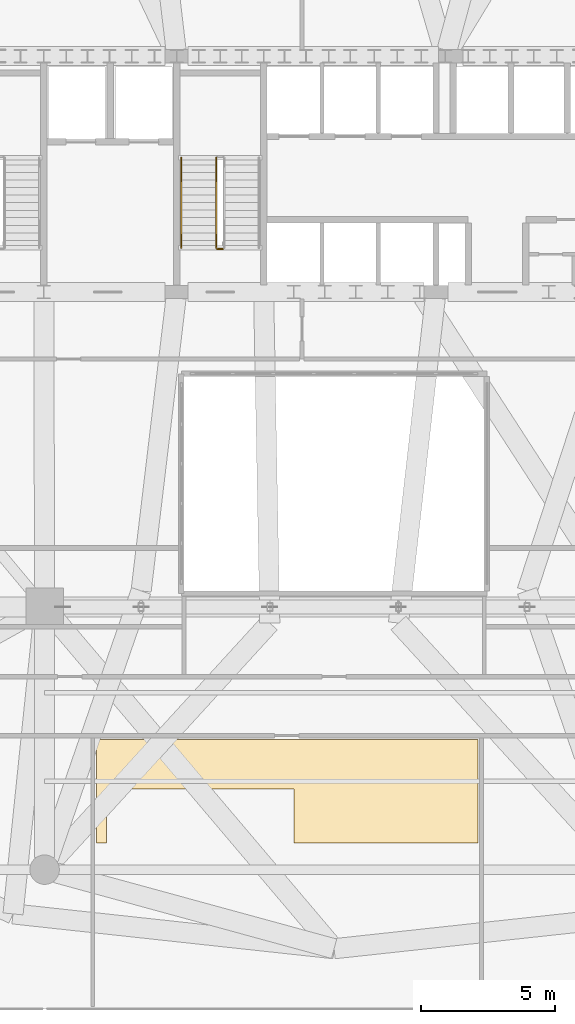
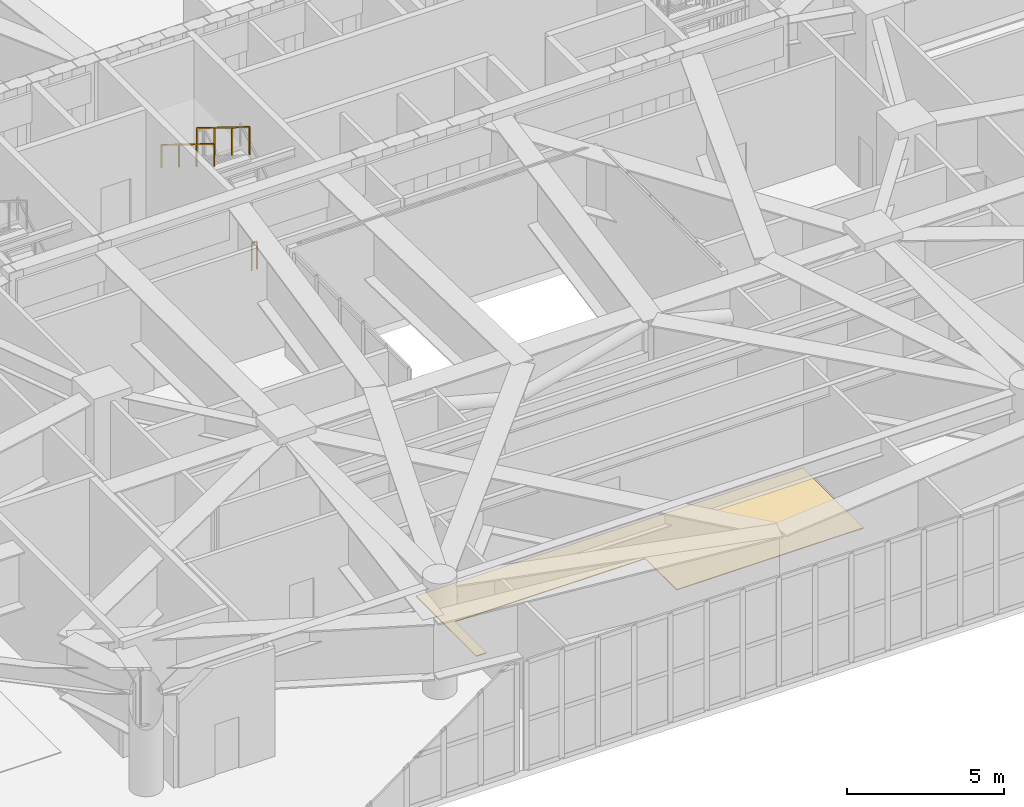
# One storey, part 21 of 26: 3 railings, 1 covering.
"""IFC4 building model written with IfcOpenShell, lengths in metres."""

from ifc_helpers import new_model, si_unit, direction, frame, origin, origin_2d, place, context, subcontext, project, spatial, polyline, rectangle, outline, extrude, material, layer, layer_set, type_object, element, save


model = new_model("IFC4")

# Units and contexts
model_context = context("Model", 3, precision=1e-05, world=origin(), true_north=direction((0.0, 1.0)))
body_context = subcontext(model_context, "Body", "Model", "MODEL_VIEW")
ifc_project = project(units=[si_unit("LENGTHUNIT", "METRE"), si_unit("AREAUNIT", "SQUARE_METRE"), si_unit("VOLUMEUNIT", "CUBIC_METRE"), si_unit("PLANEANGLEUNIT", "RADIAN"), si_unit("MASSUNIT", "GRAM", prefix="KILO")], contexts=[model_context])

# Site, building, storey
site_placement = place(None, origin())
site = spatial("IfcSite", under=ifc_project, at=site_placement, CompositionType="ELEMENT")
building_placement = place(site_placement, origin())
building = spatial("IfcBuilding", under=site, at=building_placement, Name="Haldorwick Loom Tower", CompositionType="ELEMENT")
storey_placement = place(building_placement, frame((0.0, 0.0, 19.5)))
storey = spatial("IfcBuildingStorey", under=building, at=storey_placement, Name="L04", CompositionType="ELEMENT", Elevation=19.5)

# Covering
ifc_material_1 = material(Name="Polished Aggregate Terrazzo Finish")
ifc_layer = layer(ifc_material_1, 0.030029296875, Name="Polished Aggregate Terrazzo Finish")
ifc_layer_set = layer_set([ifc_layer], Name="Polished Aggregate Terrazzo Finish")
covering_type = type_object("IfcCoveringType", Name="ARC-COV-FLOOR", PredefinedType="FLOORING", material=ifc_layer_set)
covering_placement = place(storey_placement, origin())
element("IfcCovering", 1, at=covering_placement, inside=storey, type_object=covering_type, Name="L04 Floor Finish 1", PredefinedType="FLOORING", context=body_context, shape_type="SweptSolid", body=[
    extrude(outline(polyline([(27.1298828125, 6.199951171875), (27.5, 6.199951171875), (27.5, 8.199951171875), (34.5, 8.199951171875), (34.5, 6.199951171875), (41.3701171875, 6.199951171875), (41.3701171875, 10.06005859375), (27.1298828125, 10.06005859375), (27.1298828125, 6.199951171875)])), origin(), (0.0, 0.0, 1.0), 0.030029296875),
])

# Railings
ifc_material_2 = material(Name="Steel CSA G40.21 350W", Category="steel")
railing_type_1 = type_object("IfcRailingType", Name="ARC-RLG-GUARD112", PredefinedType="GUARDRAIL", material=ifc_material_2)
railing_1_placement = place(storey_placement, frame((31.60009765625, 31.760009765625, 2.423095703125)))
element("IfcRailing", 2, at=railing_1_placement, inside=storey, type_object=railing_type_1, Name="L04 ST-03 stair guard 3", PredefinedType="GUARDRAIL", context=body_context, shape_type="SweptSolid", body=[
    extrude(rectangle(XDim=0.048095703125, YDim=0.048095703125, at=origin_2d()), frame((0.0, 0.0, 1.076171875), z_axis=(0.0, -0.850623216509, 0.525775754039), x_axis=(1.0, 0.0, 0.0)), (0.0, 0.0, 1.0), 3.9501953125),
    extrude(rectangle(XDim=0.0419921875, YDim=0.0419921875, at=origin_2d()), origin(), (0.0, 0.0, 1.0), 1.052001953125),
    extrude(rectangle(XDim=0.0419921875, YDim=0.0419921875, at=origin_2d()), frame((0.0, -1.1201171875, 0.6923828125)), (0.0, 0.0, 1.0), 1.052001953125),
    extrude(rectangle(XDim=0.0419921875, YDim=0.0419921875, at=origin_2d()), frame((0.0, -2.239990234375, 1.384521484375)), (0.0, 0.0, 1.0), 1.052001953125),
    extrude(rectangle(XDim=0.0419921875, YDim=0.0419921875, at=origin_2d()), frame((0.0, -3.360107421875, 2.076904296875)), (0.0, 0.0, 1.0), 1.052001953125),
])
railing_2_placement = place(storey_placement, frame((31.85009765625, 28.35009765625, 0.0)))
element("IfcRailing", 3, at=railing_2_placement, inside=storey, type_object=railing_type_1, Name="L04 ST-03 stair guard 4", PredefinedType="GUARDRAIL", context=body_context, shape_type="SweptSolid", body=[
    extrude(rectangle(XDim=0.048095703125, YDim=0.048095703125, at=origin_2d()), frame((0.0, 0.0, 1.076171875), z_axis=(-1.0, 0.0, 0.0), x_axis=(0.0, -1.0, 0.0)), (0.0, 0.0, 1.0), 0.2001953125),
    extrude(rectangle(XDim=0.0419921875, YDim=0.0419921875, at=origin_2d()), origin(), (0.0, 0.0, 1.0), 1.052001953125),
    extrude(rectangle(XDim=0.0419921875, YDim=0.0419921875, at=origin_2d()), frame((-0.2001953125, 0.0, 0.0)), (0.0, 0.0, 1.0), 1.052001953125),
])
railing_type_2 = type_object("IfcRailingType", Name="ARC-RLG-HAND092", PredefinedType="HANDRAIL", material=ifc_material_2)
railing_3_placement = place(storey_placement, frame((30.300048828125, 31.760009765625, 2.423095703125)))
element("IfcRailing", 4, at=railing_3_placement, inside=storey, type_object=railing_type_2, Name="L04 ST-03 stair handrail 2", PredefinedType="HANDRAIL", context=body_context, shape_type="SweptSolid", body=[
    extrude(rectangle(XDim=0.048095703125, YDim=0.048095703125, at=origin_2d()), frame((0.0, 0.0, 0.8759765625), z_axis=(0.0, -0.850623216509, 0.525775754039), x_axis=(1.0, 0.0, 0.0)), (0.0, 0.0, 1.0), 3.9501953125),
    extrude(rectangle(XDim=0.0419921875, YDim=0.0419921875, at=origin_2d()), origin(), (0.0, 0.0, 1.0), 0.851806640625),
    extrude(rectangle(XDim=0.0419921875, YDim=0.0419921875, at=origin_2d()), frame((0.0, -1.1201171875, 0.6923828125)), (0.0, 0.0, 1.0), 0.851806640625),
    extrude(rectangle(XDim=0.0419921875, YDim=0.0419921875, at=origin_2d()), frame((0.0, -2.239990234375, 1.384521484375)), (0.0, 0.0, 1.0), 0.851806640625),
    extrude(rectangle(XDim=0.0419921875, YDim=0.0419921875, at=origin_2d()), frame((0.0, -3.360107421875, 2.076904296875)), (0.0, 0.0, 1.0), 0.851806640625),
])

save(model, "model.ifc")
